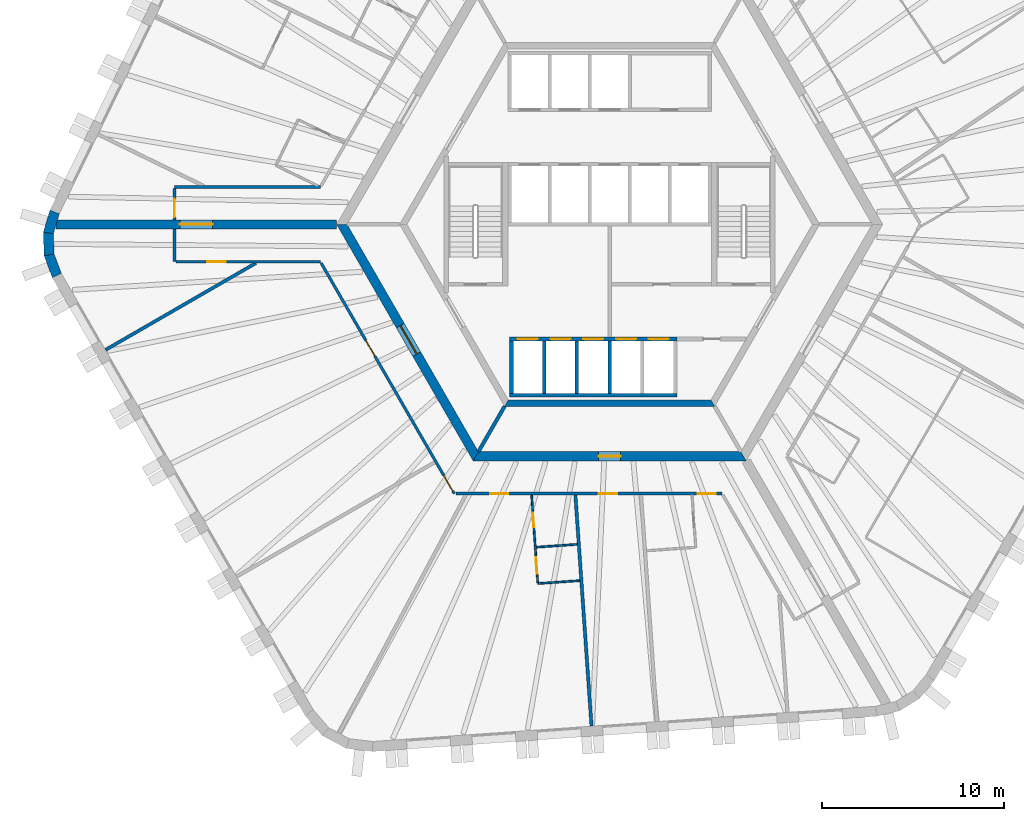
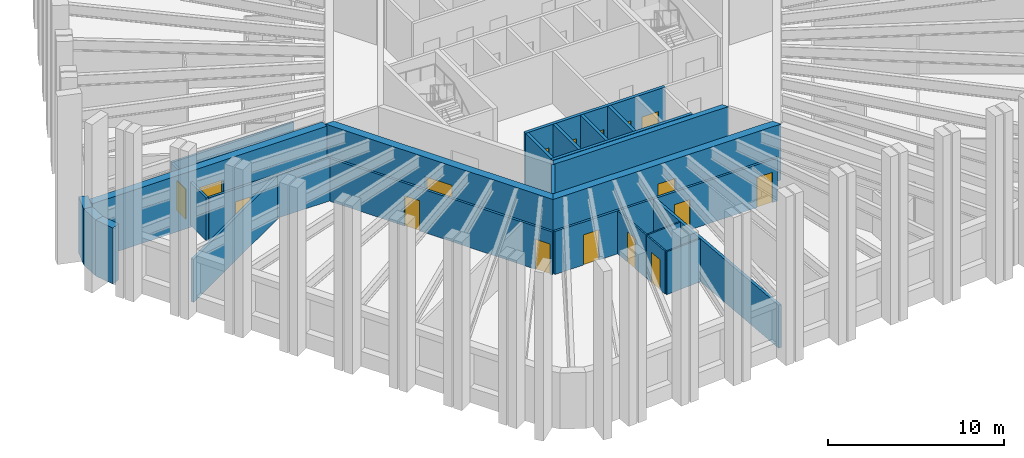
# One storey, part 3 of 9: 26 walls, 17 doors, 17 openings.
"""IFC4 building model written with IfcOpenShell, lengths in metres."""

from ifc_helpers import new_model, si_unit, direction, frame, frame_2d, origin, place, context, subcontext, project, spatial, polyline, rectangle, outline, extrude, material, layer, layer_set, type_object, element, fill, save


model = new_model("IFC4")

# Units and contexts
model_context = context("Model", 3, precision=1e-05, world=origin(), true_north=direction((0.0, 1.0)))
body_context = subcontext(model_context, "Body", "Model", "MODEL_VIEW")
ifc_project = project(units=[si_unit("LENGTHUNIT", "METRE"), si_unit("AREAUNIT", "SQUARE_METRE"), si_unit("VOLUMEUNIT", "CUBIC_METRE"), si_unit("PLANEANGLEUNIT", "RADIAN"), si_unit("MASSUNIT", "GRAM", prefix="KILO")], contexts=[model_context])

# Site, building, storey
site_placement = place(None, origin())
site = spatial("IfcSite", under=ifc_project, at=site_placement, CompositionType="ELEMENT")
building_placement = place(site_placement, origin())
building = spatial("IfcBuilding", under=site, at=building_placement, Name="Tarnside Tower", CompositionType="ELEMENT")
storey_placement = place(building_placement, frame((0.0, 0.0, 215.10009765625)))
storey = spatial("IfcBuildingStorey", under=building, at=storey_placement, Name="L51", CompositionType="ELEMENT", Elevation=215.10009765625)

# Wall, opening, door
ifc_material_1 = material(Name="Gypsum board partition on steel studs", Category="steel")
ifc_layer_1 = layer(ifc_material_1, 0.10009765625)
ifc_layer_set_1 = layer_set([ifc_layer_1], Name="Bathroom wall 100")
wall_type_1 = type_object("IfcWallType", Name="Bathroom wall 100", PredefinedType="PARTITIONING", material=ifc_layer_set_1)
wall_1_placement = place(storey_placement, frame((-4.089599609375, -17.751953125, 0.0), z_axis=(0.0, 0.0, 1.0), x_axis=(-0.06975499513, 0.997564153654, 0.0)))
wall_1 = element("IfcWall", 1, at=wall_1_placement, inside=storey, type_object=wall_type_1, Name="Bathroom wall 17069", PredefinedType="PARTITIONING", context=body_context, shape_type="SweptSolid", body=[
    extrude(rectangle(XDim=2.884033203125, YDim=0.10009765625, at=frame_2d((1.44189453125, 0.0))), origin(), (0.0, 0.0, 1.0), 2.98779296875),
])
opening_1_placement = place(wall_1_placement, frame((1.10009765625, 0.0, 0.0)))
opening_1 = element("IfcOpeningElement", 2, at=opening_1_placement, cuts=wall_1, Name="Opening D-B1", PredefinedType="OPENING", context=body_context, shape_type="SweptSolid", body=[
    extrude(rectangle(XDim=0.800048828125, YDim=2.10009765625, at=frame_2d((0.39990234375, 1.050048828125))), frame((0.0, 0.06005859375, 0.0), z_axis=(0.0, -1.0, 0.0), x_axis=(1.0, 0.0, 0.0)), (0.0, 0.0, 1.0), 0.1201171875),
])
ifc_material_2 = material(Name="Timber door leaf", Category="wood")
door_type_1 = type_object("IfcDoorType", Name="Bathroom door 800", OperationType="NOTDEFINED", PredefinedType="DOOR", material=ifc_material_2)
door_1_placement = place(opening_1_placement, origin())
door_1 = element("IfcDoor", 3, at=door_1_placement, inside=storey, type_object=door_type_1, Name="Bathroom door 17017", OperationType="SINGLE_SWING_LEFT", OverallHeight=2.10009765625, OverallWidth=0.800048828125, PredefinedType="DOOR", context=body_context, shape_type="SweptSolid", body=[
    extrude(rectangle(XDim=0.800048828125, YDim=2.10009765625, at=frame_2d((0.39990234375, 1.050048828125))), frame((0.0, 0.02490234375, 0.0), z_axis=(0.0, -1.0, 0.0), x_axis=(1.0, 0.0, 0.0)), (0.0, 0.0, 1.0), 0.050048828125),
])
fill(opening_1, door_1)

# Walls
wall_2_placement = place(storey_placement, frame((-4.039794921875, -17.74853515625, 0.0), z_axis=(0.0, 0.0, 1.0), x_axis=(0.997562351999, 0.069780755754, 0.0)))
element("IfcWall", 4, at=wall_2_placement, inside=storey, type_object=wall_type_1, Name="Bathroom wall 17073", PredefinedType="PARTITIONING", context=body_context, shape_type="SweptSolid", body=[
    extrude(rectangle(XDim=2.26025390625, YDim=0.10009765625, at=frame_2d((1.130126953125, 0.0))), origin(), (0.0, 0.0, 1.0), 2.98779296875),
])
ifc_material_3 = material(Name="Concrete C50/60", Category="concrete")
ifc_layer_2 = layer(ifc_material_3, 0.35009765625)
ifc_layer_set_2 = layer_set([ifc_layer_2], Name="Core block wall 350 C50/60")
wall_type_2 = type_object("IfcWallType", Name="Core block wall 350 C50/60", PredefinedType="SHEAR", material=ifc_layer_set_2)
wall_3_placement = place(storey_placement, frame((-5.672607421875, -9.824951171875, -0.150146484375), z_axis=(0.0, 0.0, 1.0), x_axis=(1.0, 0.0, 0.0)))
element("IfcWall", 5, at=wall_3_placement, inside=storey, type_object=wall_type_2, Name="L51 core block wall face 4", PredefinedType="SHEAR", context=body_context, shape_type="SweptSolid", body=[
    extrude(outline(polyline([(-0.10107421875, -0.175048828125), (11.4462890625, -0.175048828125), (11.244140625, 0.175048828125), (0.10107421875, 0.175048828125), (-0.10107421875, -0.175048828125)])), origin(), (0.0, 0.0, 1.0), 3.900146484375),
])

# Wall, opening, door
ifc_material_4 = material(Name="Concrete C70/85", Category="concrete")
ifc_layer_3 = layer(ifc_material_4, 0.5)
ifc_layer_set_3 = layer_set([ifc_layer_3], Name="Core wall Z2 500 C70/85")
wall_type_3 = type_object("IfcWallType", Name="Core wall Z2 500 C70/85", PredefinedType="SHEAR", material=ifc_layer_set_3)
wall_4_placement = place(storey_placement, frame((-14.722412109375, 0.0, -0.150146484375), z_axis=(0.0, 0.0, 1.0), x_axis=(0.50000571537, -0.866022103989, 0.0)))
wall_4 = element("IfcWall", 6, at=wall_4_placement, inside=storey, type_object=wall_type_3, Name="L51 core wall face 3", PredefinedType="SHEAR", context=body_context, shape_type="SweptSolid", body=[
    extrude(outline(polyline([(-0.144287109375, -0.25), (14.86669921875, -0.25), (14.578125, 0.25), (0.144287109375, 0.25), (-0.144287109375, -0.25)])), origin(), (0.0, 0.0, 1.0), 3.900146484375),
])
opening_2_placement = place(wall_4_placement, frame((6.432373046875, 0.0, 0.14990234375)))
opening_2 = element("IfcOpeningElement", 7, at=opening_2_placement, cuts=wall_4, Name="Opening CD-FFL", PredefinedType="OPENING", context=body_context, shape_type="SweptSolid", body=[
    extrude(rectangle(XDim=1.800048828125, YDim=2.39990234375, at=frame_2d((0.89990234375, 1.199951171875))), frame((0.0, 0.260009765625, 0.0), z_axis=(0.0, -1.0, 0.0), x_axis=(1.0, 0.0, 0.0)), (0.0, 0.0, 1.0), 0.52001953125),
])
ifc_material_5 = material(Name="Steel fire door", Category="steel")
door_type_2 = type_object("IfcDoorType", Name="Firefighting lobby double door FD60S 1800x2400", OperationType="NOTDEFINED", PredefinedType="DOOR", material=ifc_material_5)
door_2_placement = place(opening_2_placement, origin())
door_2 = element("IfcDoor", 8, at=door_2_placement, inside=storey, type_object=door_type_2, Name="L51 core door P3", OperationType="DOUBLE_DOOR_SINGLE_SWING", OverallHeight=2.39990234375, OverallWidth=1.800048828125, PredefinedType="DOOR", context=body_context, shape_type="SweptSolid", body=[
    extrude(rectangle(XDim=1.800048828125, YDim=2.39990234375, at=frame_2d((0.89990234375, 1.199951171875))), frame((0.0, 0.02490234375, 0.0), z_axis=(0.0, -1.0, 0.0), x_axis=(1.0, 0.0, 0.0)), (0.0, 0.0, 1.0), 0.050048828125),
])
fill(opening_2, door_2)

wall_5_placement = place(storey_placement, frame((-7.361083984375, -12.75, -0.150146484375), z_axis=(0.0, 0.0, 1.0), x_axis=(1.0, 0.0, 0.0)))
wall_5 = element("IfcWall", 9, at=wall_5_placement, inside=storey, type_object=wall_type_3, Name="L51 core wall face 4", PredefinedType="SHEAR", context=body_context, shape_type="SweptSolid", body=[
    extrude(outline(polyline([(-0.144287109375, -0.25), (14.866455078125, -0.25), (14.577880859375, 0.25), (0.144287109375, 0.25), (-0.144287109375, -0.25)])), origin(), (0.0, 0.0, 1.0), 3.900146484375),
])
opening_3_placement = place(wall_5_placement, frame((6.76123046875, 0.0, 0.14990234375)))
opening_3 = element("IfcOpeningElement", 10, at=opening_3_placement, cuts=wall_5, Name="Opening CD-RSR", PredefinedType="OPENING", context=body_context, shape_type="SweptSolid", body=[
    extrude(rectangle(XDim=1.199951171875, YDim=2.39990234375, at=frame_2d((0.60009765625, 1.199951171875))), frame((0.0, 0.260009765625, 0.0), z_axis=(0.0, -1.0, 0.0), x_axis=(1.0, 0.0, 0.0)), (0.0, 0.0, 1.0), 0.52001953125),
])
door_type_3 = type_object("IfcDoorType", Name="Riser door FD60 1200x2400", OperationType="NOTDEFINED", PredefinedType="DOOR", material=ifc_material_5)
door_3_placement = place(opening_3_placement, origin())
door_3 = element("IfcDoor", 11, at=door_3_placement, inside=storey, type_object=door_type_3, Name="L51 core door S6", OperationType="SINGLE_SWING_LEFT", OverallHeight=2.39990234375, OverallWidth=1.199951171875, PredefinedType="DOOR", context=body_context, shape_type="SweptSolid", body=[
    extrude(rectangle(XDim=1.199951171875, YDim=2.39990234375, at=frame_2d((0.60009765625, 1.199951171875))), frame((0.0, 0.02490234375, 0.0), z_axis=(0.0, -1.0, 0.0), x_axis=(1.0, 0.0, 0.0)), (0.0, 0.0, 1.0), 0.050048828125),
])
fill(opening_3, door_3)

wall_6_placement = place(storey_placement, frame((-15.010986328125, 0.0, -0.150146484375), z_axis=(0.0, 0.0, 1.0), x_axis=(-1.0, 0.0, 0.0)))
wall_6 = element("IfcWall", 12, at=wall_6_placement, inside=storey, type_object=wall_type_3, Name="L51 spine wall 2", PredefinedType="SHEAR", context=body_context, shape_type="SweptSolid", body=[
    extrude(rectangle(XDim=15.423828125, YDim=0.5, at=frame_2d((7.7119140625, 0.0))), origin(), (0.0, 0.0, 1.0), 3.900146484375),
])
opening_4_placement = place(wall_6_placement, frame((6.811767578125, 0.0, 0.14990234375)))
opening_4 = element("IfcOpeningElement", 13, at=opening_4_placement, cuts=wall_6, Name="Opening CD-SPN", PredefinedType="OPENING", context=body_context, shape_type="SweptSolid", body=[
    extrude(rectangle(XDim=1.800048828125, YDim=2.39990234375, at=frame_2d((0.89990234375, 1.199951171875))), frame((0.0, 0.260009765625, 0.0), z_axis=(0.0, -1.0, 0.0), x_axis=(1.0, 0.0, 0.0)), (0.0, 0.0, 1.0), 0.52001953125),
])
door_type_4 = type_object("IfcDoorType", Name="Spine passage double door FD60 1800x2400", OperationType="NOTDEFINED", PredefinedType="DOOR", material=ifc_material_5)
door_4_placement = place(opening_4_placement, origin())
door_4 = element("IfcDoor", 14, at=door_4_placement, inside=storey, type_object=door_type_4, Name="L51 spine passage door 2", OperationType="DOUBLE_DOOR_SINGLE_SWING", OverallHeight=2.39990234375, OverallWidth=1.800048828125, PredefinedType="DOOR", context=body_context, shape_type="SweptSolid", body=[
    extrude(rectangle(XDim=1.800048828125, YDim=2.39990234375, at=frame_2d((0.89990234375, 1.199951171875))), frame((0.0, 0.02490234375, 0.0), z_axis=(0.0, -1.0, 0.0), x_axis=(1.0, 0.0, 0.0)), (0.0, 0.0, 1.0), 0.050048828125),
])
fill(opening_4, door_4)

# Wall
ifc_layer_4 = layer(ifc_material_1, 0.14990234375)
ifc_layer_set_4 = layer_set([ifc_layer_4], Name="Corridor wall 150 EI 60")
wall_type_4 = type_object("IfcWallType", Name="Corridor wall 150 EI 60", PredefinedType="PARTITIONING", material=ifc_layer_set_4)
wall_7_placement = place(storey_placement, frame((-15.906005859375, 2.050048828125, 0.0), z_axis=(0.0, 0.0, 1.0), x_axis=(-1.0, 0.0, 0.0)))
element("IfcWall", 15, at=wall_7_placement, inside=storey, type_object=wall_type_4, Name="Corridor wall 17012", PredefinedType="PARTITIONING", context=body_context, shape_type="SweptSolid", body=[
    extrude(rectangle(XDim=8.016845703125, YDim=0.14990234375, at=frame_2d((4.00830078125, 0.0))), origin(), (0.0, 0.0, 1.0), 2.98779296875),
])

# Wall, opening, door
wall_8_placement = place(storey_placement, frame((-23.9228515625, 1.97509765625, 0.0), z_axis=(0.0, 0.0, 1.0), x_axis=(0.0, -1.0, 0.0)))
wall_8 = element("IfcWall", 16, at=wall_8_placement, inside=storey, type_object=wall_type_4, Name="Corridor wall 17016", PredefinedType="PARTITIONING", context=body_context, shape_type="SweptSolid", body=[
    extrude(rectangle(XDim=1.72509765625, YDim=0.14990234375, at=frame_2d((0.862548828125, 0.0))), origin(), (0.0, 0.0, 1.0), 2.98779296875),
])
opening_5_placement = place(wall_8_placement, frame((0.574951171875, 0.0, 0.0)))
opening_5 = element("IfcOpeningElement", 17, at=opening_5_placement, cuts=wall_8, Name="Opening D-E1", PredefinedType="OPENING", context=body_context, shape_type="SweptSolid", body=[
    extrude(rectangle(XDim=1.0, YDim=2.10009765625, at=frame_2d((0.5, 1.050048828125))), frame((0.0, 0.0849609375, 0.0), z_axis=(0.0, -1.0, 0.0), x_axis=(1.0, 0.0, 0.0)), (0.0, 0.0, 1.0), 0.169921875),
])
door_type_5 = type_object("IfcDoorType", Name="Unit entrance door 1000 FD30S", OperationType="NOTDEFINED", PredefinedType="DOOR", material=ifc_material_2)
door_5_placement = place(opening_5_placement, origin())
door_5 = element("IfcDoor", 18, at=door_5_placement, inside=storey, type_object=door_type_5, Name="Unit door 17012", OperationType="SINGLE_SWING_LEFT", OverallHeight=2.10009765625, OverallWidth=1.0, PredefinedType="DOOR", context=body_context, shape_type="SweptSolid", body=[
    extrude(rectangle(XDim=1.0, YDim=2.10009765625, at=frame_2d((0.5, 1.050048828125))), frame((0.0, 0.02490234375, 0.0), z_axis=(0.0, -1.0, 0.0), x_axis=(1.0, 0.0, 0.0)), (0.0, 0.0, 1.0), 0.050048828125),
])
fill(opening_5, door_5)

# Wall
wall_9_placement = place(storey_placement, frame((-23.9228515625, -0.25, 0.0), z_axis=(0.0, 0.0, 1.0), x_axis=(0.0, -1.0, 0.0)))
element("IfcWall", 19, at=wall_9_placement, inside=storey, type_object=wall_type_4, Name="Corridor wall 17017", PredefinedType="PARTITIONING", context=body_context, shape_type="SweptSolid", body=[
    extrude(rectangle(XDim=1.800048828125, YDim=0.14990234375, at=frame_2d((0.89990234375, 0.0))), origin(), (0.0, 0.0, 1.0), 2.98779296875),
])

# Wall, opening, door
wall_10_placement = place(storey_placement, frame((-23.847900390625, -2.050048828125, 0.0), z_axis=(0.0, 0.0, 1.0), x_axis=(1.0, 0.0, 0.0)))
wall_10 = element("IfcWall", 20, at=wall_10_placement, inside=storey, type_object=wall_type_4, Name="Corridor wall 17018", PredefinedType="PARTITIONING", context=body_context, shape_type="SweptSolid", body=[
    extrude(rectangle(XDim=7.94189453125, YDim=0.14990234375, at=frame_2d((3.970947265625, 0.0))), origin(), (0.0, 0.0, 1.0), 2.98779296875),
])
opening_6_placement = place(wall_10_placement, frame((1.72900390625, 0.0, 0.0)))
opening_6 = element("IfcOpeningElement", 21, at=opening_6_placement, cuts=wall_10, Name="Opening D-E1", PredefinedType="OPENING", context=body_context, shape_type="SweptSolid", body=[
    extrude(rectangle(XDim=1.0, YDim=2.10009765625, at=frame_2d((0.5, 1.050048828125))), frame((0.0, 0.0849609375, 0.0), z_axis=(0.0, -1.0, 0.0), x_axis=(1.0, 0.0, 0.0)), (0.0, 0.0, 1.0), 0.169921875),
])
door_6_placement = place(opening_6_placement, origin())
door_6 = element("IfcDoor", 22, at=door_6_placement, inside=storey, type_object=door_type_5, Name="Unit door 17013", OperationType="SINGLE_SWING_RIGHT", OverallHeight=2.10009765625, OverallWidth=1.0, PredefinedType="DOOR", context=body_context, shape_type="SweptSolid", body=[
    extrude(rectangle(XDim=1.0, YDim=2.10009765625, at=frame_2d((0.5, 1.050048828125))), frame((0.0, 0.02490234375, 0.0), z_axis=(0.0, -1.0, 0.0), x_axis=(1.0, 0.0, 0.0)), (0.0, 0.0, 1.0), 0.050048828125),
])
fill(opening_6, door_6)

# Wall, openings, doors
wall_11_placement = place(storey_placement, frame((-15.86279296875, -2.125, 0.0), z_axis=(0.0, 0.0, 1.0), x_axis=(0.500008833422, -0.866020303746, 0.0)))
wall_11 = element("IfcWall", 23, at=wall_11_placement, inside=storey, type_object=wall_type_4, Name="Corridor wall 17020", PredefinedType="PARTITIONING", context=body_context, shape_type="SweptSolid", body=[
    extrude(rectangle(XDim=14.635986328125, YDim=0.14990234375, at=frame_2d((7.31787109375, 0.0))), origin(), (0.0, 0.0, 1.0), 2.98779296875),
])
opening_7_placement = place(wall_11_placement, frame((4.908935546875, 0.0, 0.0)))
opening_7 = element("IfcOpeningElement", 24, at=opening_7_placement, cuts=wall_11, Name="Opening D-E1", PredefinedType="OPENING", context=body_context, shape_type="SweptSolid", body=[
    extrude(rectangle(XDim=1.0, YDim=2.10009765625, at=frame_2d((0.5, 1.050048828125))), frame((0.0, 0.0849609375, 0.0), z_axis=(0.0, -1.0, 0.0), x_axis=(1.0, 0.0, 0.0)), (0.0, 0.0, 1.0), 0.169921875),
])
opening_8_placement = place(wall_11_placement, frame((13.48583984375, 0.0, 0.0)))
opening_8 = element("IfcOpeningElement", 25, at=opening_8_placement, cuts=wall_11, Name="Opening D-E1", PredefinedType="OPENING", context=body_context, shape_type="SweptSolid", body=[
    extrude(rectangle(XDim=1.0, YDim=2.10009765625, at=frame_2d((0.5, 1.050048828125))), frame((0.0, 0.0849609375, 0.0), z_axis=(0.0, -1.0, 0.0), x_axis=(1.0, 0.0, 0.0)), (0.0, 0.0, 1.0), 0.169921875),
])
door_7_placement = place(opening_7_placement, origin())
door_7 = element("IfcDoor", 26, at=door_7_placement, inside=storey, type_object=door_type_5, Name="Unit door 17014", OperationType="SINGLE_SWING_RIGHT", OverallHeight=2.10009765625, OverallWidth=1.0, PredefinedType="DOOR", context=body_context, shape_type="SweptSolid", body=[
    extrude(rectangle(XDim=1.0, YDim=2.10009765625, at=frame_2d((0.5, 1.050048828125))), frame((0.0, 0.02490234375, 0.0), z_axis=(0.0, -1.0, 0.0), x_axis=(1.0, 0.0, 0.0)), (0.0, 0.0, 1.0), 0.050048828125),
])
fill(opening_7, door_7)
door_8_placement = place(opening_8_placement, origin())
door_8 = element("IfcDoor", 27, at=door_8_placement, inside=storey, type_object=door_type_5, Name="Unit door 17015", OperationType="SINGLE_SWING_LEFT", OverallHeight=2.10009765625, OverallWidth=1.0, PredefinedType="DOOR", context=body_context, shape_type="SweptSolid", body=[
    extrude(rectangle(XDim=1.0, YDim=2.10009765625, at=frame_2d((0.5, 1.050048828125))), frame((0.0, 0.02490234375, 0.0), z_axis=(0.0, -1.0, 0.0), x_axis=(1.0, 0.0, 0.0)), (0.0, 0.0, 1.0), 0.050048828125),
])
fill(opening_8, door_8)

wall_12_placement = place(storey_placement, frame((-8.458251953125, -14.800048828125, 0.0), z_axis=(0.0, 0.0, 1.0), x_axis=(1.0, 0.0, 0.0)))
wall_12 = element("IfcWall", 28, at=wall_12_placement, inside=storey, type_object=wall_type_4, Name="Corridor wall 17022", PredefinedType="PARTITIONING", context=body_context, shape_type="SweptSolid", body=[
    extrude(rectangle(XDim=14.635986328125, YDim=0.14990234375, at=frame_2d((7.31787109375, 0.0))), origin(), (0.0, 0.0, 1.0), 2.98779296875),
])
opening_9_placement = place(wall_12_placement, frame((1.88134765625, 0.0, 0.0)))
opening_9 = element("IfcOpeningElement", 29, at=opening_9_placement, cuts=wall_12, Name="Opening D-E1", PredefinedType="OPENING", context=body_context, shape_type="SweptSolid", body=[
    extrude(rectangle(XDim=1.0, YDim=2.10009765625, at=frame_2d((0.5, 1.050048828125))), frame((0.0, 0.0849609375, 0.0), z_axis=(0.0, -1.0, 0.0), x_axis=(1.0, 0.0, 0.0)), (0.0, 0.0, 1.0), 0.169921875),
])
opening_10_placement = place(wall_12_placement, frame((7.872314453125, 0.0, 0.0)))
opening_10 = element("IfcOpeningElement", 30, at=opening_10_placement, cuts=wall_12, Name="Opening D-E1", PredefinedType="OPENING", context=body_context, shape_type="SweptSolid", body=[
    extrude(rectangle(XDim=1.0, YDim=2.10009765625, at=frame_2d((0.5, 1.050048828125))), frame((0.0, 0.0849609375, 0.0), z_axis=(0.0, -1.0, 0.0), x_axis=(1.0, 0.0, 0.0)), (0.0, 0.0, 1.0), 0.169921875),
])
opening_11_placement = place(wall_12_placement, frame((13.302978515625, 0.0, 0.0)))
opening_11 = element("IfcOpeningElement", 31, at=opening_11_placement, cuts=wall_12, Name="Opening D-E1", PredefinedType="OPENING", context=body_context, shape_type="SweptSolid", body=[
    extrude(rectangle(XDim=1.0, YDim=2.10009765625, at=frame_2d((0.5, 1.050048828125))), frame((0.0, 0.0849609375, 0.0), z_axis=(0.0, -1.0, 0.0), x_axis=(1.0, 0.0, 0.0)), (0.0, 0.0, 1.0), 0.169921875),
])
door_9_placement = place(opening_9_placement, origin())
door_9 = element("IfcDoor", 32, at=door_9_placement, inside=storey, type_object=door_type_5, Name="Unit door 17016", OperationType="SINGLE_SWING_LEFT", OverallHeight=2.10009765625, OverallWidth=1.0, PredefinedType="DOOR", context=body_context, shape_type="SweptSolid", body=[
    extrude(rectangle(XDim=1.0, YDim=2.10009765625, at=frame_2d((0.5, 1.050048828125))), frame((0.0, 0.02490234375, 0.0), z_axis=(0.0, -1.0, 0.0), x_axis=(1.0, 0.0, 0.0)), (0.0, 0.0, 1.0), 0.050048828125),
])
fill(opening_9, door_9)
door_10_placement = place(opening_10_placement, origin())
door_10 = element("IfcDoor", 33, at=door_10_placement, inside=storey, type_object=door_type_5, Name="Unit door 17019", OperationType="SINGLE_SWING_RIGHT", OverallHeight=2.10009765625, OverallWidth=1.0, PredefinedType="DOOR", context=body_context, shape_type="SweptSolid", body=[
    extrude(rectangle(XDim=1.0, YDim=2.10009765625, at=frame_2d((0.5, 1.050048828125))), frame((0.0, 0.02490234375, 0.0), z_axis=(0.0, -1.0, 0.0), x_axis=(1.0, 0.0, 0.0)), (0.0, 0.0, 1.0), 0.050048828125),
])
fill(opening_10, door_10)
door_11_placement = place(opening_11_placement, origin())
door_11 = element("IfcDoor", 34, at=door_11_placement, inside=storey, type_object=door_type_5, Name="Unit door 17020", OperationType="SINGLE_SWING_RIGHT", OverallHeight=2.10009765625, OverallWidth=1.0, PredefinedType="DOOR", context=body_context, shape_type="SweptSolid", body=[
    extrude(rectangle(XDim=1.0, YDim=2.10009765625, at=frame_2d((0.5, 1.050048828125))), frame((0.0, 0.02490234375, 0.0), z_axis=(0.0, -1.0, 0.0), x_axis=(1.0, 0.0, 0.0)), (0.0, 0.0, 1.0), 0.050048828125),
])
fill(opening_11, door_11)

# Walls
ifc_layer_5 = layer(ifc_material_1, 0.179931640625)
ifc_layer_set_5 = layer_set([ifc_layer_5], Name="Demising wall 180 EI 60")
wall_type_5 = type_object("IfcWallType", Name="Demising wall 180 EI 60", PredefinedType="PARTITIONING", material=ifc_layer_set_5)
wall_13_placement = place(storey_placement, frame((-27.71337890625, -6.89892578125, 0.0), z_axis=(0.0, 0.0, 1.0), x_axis=(0.866022070066, 0.500005774125, 0.0)))
element("IfcWall", 35, at=wall_13_placement, inside=storey, type_object=wall_type_5, Name="Demising wall 17066", PredefinedType="PARTITIONING", context=body_context, shape_type="SweptSolid", body=[
    extrude(rectangle(XDim=9.5478515625, YDim=0.179931640625, at=frame_2d((4.77392578125, 0.0))), origin(), (0.0, 0.0, 1.0), 2.98779296875),
])
wall_14_placement = place(storey_placement, frame((-0.99609375, -27.586669921875, 0.0), z_axis=(0.0, 0.0, 1.0), x_axis=(-0.069758774678, 0.99756388936, 0.0)))
element("IfcWall", 36, at=wall_14_placement, inside=storey, type_object=wall_type_5, Name="Demising wall 17072", PredefinedType="PARTITIONING", context=body_context, shape_type="SweptSolid", body=[
    extrude(rectangle(XDim=12.74267578125, YDim=0.179931640625, at=frame_2d((6.371337890625, 0.0))), origin(), (0.0, 0.0, 1.0), 2.98779296875),
])

# Wall, openings, doors
ifc_material_6 = material(Name="Concrete C40/50", Category="concrete")
ifc_layer_6 = layer(ifc_material_6, 0.199951171875)
ifc_layer_set_6 = layer_set([ifc_layer_6], Name="Lift shaft wall 200 C40/50")
wall_type_6 = type_object("IfcWallType", Name="Lift shaft wall 200 C40/50", PredefinedType="SHEAR", material=ifc_layer_set_6)
wall_15_placement = place(storey_placement, frame((-5.5, -6.300048828125, -0.25), z_axis=(0.0, 0.0, 1.0), x_axis=(1.0, 0.0, 0.0)))
wall_15 = element("IfcWall", 37, at=wall_15_placement, inside=storey, type_object=wall_type_6, Name="L51 lift shaft front wall R4", PredefinedType="SHEAR", context=body_context, shape_type="SweptSolid", body=[
    extrude(rectangle(XDim=9.199951171875, YDim=0.199951171875, at=frame_2d((4.60009765625, 0.0))), origin(), (0.0, 0.0, 1.0), 3.89990234375),
])
opening_12_placement = place(wall_15_placement, frame((0.449951171875, 0.0, 0.25)))
opening_12 = element("IfcOpeningElement", 38, at=opening_12_placement, cuts=wall_15, Name="Opening LDF", PredefinedType="OPENING", context=body_context, shape_type="SweptSolid", body=[
    extrude(rectangle(XDim=1.10009765625, YDim=2.10009765625, at=frame_2d((0.550048828125, 1.050048828125))), frame((0.0, 0.10986328125, 0.0), z_axis=(0.0, -1.0, 0.0), x_axis=(1.0, 0.0, 0.0)), (0.0, 0.0, 1.0), 0.219970703125),
])
opening_13_placement = place(wall_15_placement, frame((2.25, 0.0, 0.25)))
opening_13 = element("IfcOpeningElement", 39, at=opening_13_placement, cuts=wall_15, Name="Opening LDF", PredefinedType="OPENING", context=body_context, shape_type="SweptSolid", body=[
    extrude(rectangle(XDim=1.10009765625, YDim=2.10009765625, at=frame_2d((0.550048828125, 1.050048828125))), frame((0.0, 0.10986328125, 0.0), z_axis=(0.0, -1.0, 0.0), x_axis=(1.0, 0.0, 0.0)), (0.0, 0.0, 1.0), 0.219970703125),
])
opening_14_placement = place(wall_15_placement, frame((4.050048828125, 0.0, 0.25)))
opening_14 = element("IfcOpeningElement", 40, at=opening_14_placement, cuts=wall_15, Name="Opening LDF", PredefinedType="OPENING", context=body_context, shape_type="SweptSolid", body=[
    extrude(rectangle(XDim=1.10009765625, YDim=2.10009765625, at=frame_2d((0.550048828125, 1.050048828125))), frame((0.0, 0.10986328125, 0.0), z_axis=(0.0, -1.0, 0.0), x_axis=(1.0, 0.0, 0.0)), (0.0, 0.0, 1.0), 0.219970703125),
])
opening_15_placement = place(wall_15_placement, frame((5.85009765625, 0.0, 0.25)))
opening_15 = element("IfcOpeningElement", 41, at=opening_15_placement, cuts=wall_15, Name="Opening LDF", PredefinedType="OPENING", context=body_context, shape_type="SweptSolid", body=[
    extrude(rectangle(XDim=1.10009765625, YDim=2.10009765625, at=frame_2d((0.550048828125, 1.050048828125))), frame((0.0, 0.10986328125, 0.0), z_axis=(0.0, -1.0, 0.0), x_axis=(1.0, 0.0, 0.0)), (0.0, 0.0, 1.0), 0.219970703125),
])
opening_16_placement = place(wall_15_placement, frame((7.64990234375, 0.0, 0.25)))
opening_16 = element("IfcOpeningElement", 42, at=opening_16_placement, cuts=wall_15, Name="Opening LDF", PredefinedType="OPENING", context=body_context, shape_type="SweptSolid", body=[
    extrude(rectangle(XDim=1.10009765625, YDim=2.10009765625, at=frame_2d((0.550048828125, 1.050048828125))), frame((0.0, 0.10986328125, 0.0), z_axis=(0.0, -1.0, 0.0), x_axis=(1.0, 0.0, 0.0)), (0.0, 0.0, 1.0), 0.219970703125),
])
ifc_material_7 = material(Name="Stainless steel", Category="steel")
door_type_6 = type_object("IfcDoorType", Name="Lift landing door 1100x2100 EI 120", OperationType="NOTDEFINED", PredefinedType="DOOR", material=ifc_material_7)
door_12_placement = place(opening_12_placement, origin())
door_12 = element("IfcDoor", 43, at=door_12_placement, inside=storey, type_object=door_type_6, Name="Firefighting lift 1 landing door L51", OperationType="SLIDING_TO_LEFT", OverallHeight=2.10009765625, OverallWidth=1.10009765625, PredefinedType="DOOR", context=body_context, shape_type="SweptSolid", body=[
    extrude(rectangle(XDim=1.10009765625, YDim=2.10009765625, at=frame_2d((0.550048828125, 1.050048828125))), frame((0.0, 0.02490234375, 0.0), z_axis=(0.0, -1.0, 0.0), x_axis=(1.0, 0.0, 0.0)), (0.0, 0.0, 1.0), 0.050048828125),
])
fill(opening_12, door_12)
door_13_placement = place(opening_13_placement, origin())
door_13 = element("IfcDoor", 44, at=door_13_placement, inside=storey, type_object=door_type_6, Name="Firefighting lift 2 landing door L51", OperationType="SLIDING_TO_LEFT", OverallHeight=2.10009765625, OverallWidth=1.10009765625, PredefinedType="DOOR", context=body_context, shape_type="SweptSolid", body=[
    extrude(rectangle(XDim=1.10009765625, YDim=2.10009765625, at=frame_2d((0.550048828125, 1.050048828125))), frame((0.0, 0.02490234375, 0.0), z_axis=(0.0, -1.0, 0.0), x_axis=(1.0, 0.0, 0.0)), (0.0, 0.0, 1.0), 0.050048828125),
])
fill(opening_13, door_13)
door_14_placement = place(opening_14_placement, origin())
door_14 = element("IfcDoor", 45, at=door_14_placement, inside=storey, type_object=door_type_6, Name="Firefighting lift 3 landing door L51", OperationType="SLIDING_TO_LEFT", OverallHeight=2.10009765625, OverallWidth=1.10009765625, PredefinedType="DOOR", context=body_context, shape_type="SweptSolid", body=[
    extrude(rectangle(XDim=1.10009765625, YDim=2.10009765625, at=frame_2d((0.550048828125, 1.050048828125))), frame((0.0, 0.02490234375, 0.0), z_axis=(0.0, -1.0, 0.0), x_axis=(1.0, 0.0, 0.0)), (0.0, 0.0, 1.0), 0.050048828125),
])
fill(opening_14, door_14)
door_15_placement = place(opening_15_placement, origin())
door_15 = element("IfcDoor", 46, at=door_15_placement, inside=storey, type_object=door_type_6, Name="Firefighting lift 4 landing door L51", OperationType="SLIDING_TO_LEFT", OverallHeight=2.10009765625, OverallWidth=1.10009765625, PredefinedType="DOOR", context=body_context, shape_type="SweptSolid", body=[
    extrude(rectangle(XDim=1.10009765625, YDim=2.10009765625, at=frame_2d((0.550048828125, 1.050048828125))), frame((0.0, 0.02490234375, 0.0), z_axis=(0.0, -1.0, 0.0), x_axis=(1.0, 0.0, 0.0)), (0.0, 0.0, 1.0), 0.050048828125),
])
fill(opening_15, door_15)
door_16_placement = place(opening_16_placement, origin())
door_16 = element("IfcDoor", 47, at=door_16_placement, inside=storey, type_object=door_type_6, Name="Firefighting lift 5 landing door L51", OperationType="SLIDING_TO_LEFT", OverallHeight=2.10009765625, OverallWidth=1.10009765625, PredefinedType="DOOR", context=body_context, shape_type="SweptSolid", body=[
    extrude(rectangle(XDim=1.10009765625, YDim=2.10009765625, at=frame_2d((0.550048828125, 1.050048828125))), frame((0.0, 0.02490234375, 0.0), z_axis=(0.0, -1.0, 0.0), x_axis=(1.0, 0.0, 0.0)), (0.0, 0.0, 1.0), 0.050048828125),
])
fill(opening_16, door_16)

# Walls
wall_16_placement = place(storey_placement, frame((-5.5, -9.39990234375, -0.25), z_axis=(0.0, 0.0, 1.0), x_axis=(1.0, 0.0, 0.0)))
element("IfcWall", 48, at=wall_16_placement, inside=storey, type_object=wall_type_6, Name="L51 lift shaft back wall R4", PredefinedType="SHEAR", context=body_context, shape_type="SweptSolid", body=[
    extrude(rectangle(XDim=9.199951171875, YDim=0.199951171875, at=frame_2d((4.60009765625, 0.0))), origin(), (0.0, 0.0, 1.0), 3.89990234375),
])
for number, where, z_axis, x_axis, name in (
    (49, (-5.39990234375, -9.300048828125, -0.25), (0.0, 0.0, 1.0), (0.0, 1.0, 0.0), "L51 lift shaft partition R41"),
    (50, (-3.60009765625, -9.300048828125, -0.25), (0.0, 0.0, 1.0), (0.0, 1.0, 0.0), "L51 lift shaft partition R42"),
    (51, (-1.800048828125, -9.300048828125, -0.25), (0.0, 0.0, 1.0), (0.0, 1.0, 0.0), "L51 lift shaft partition R43"),
    (52, (0.0, -9.300048828125, -0.25), (0.0, 0.0, 1.0), (0.0, 1.0, 0.0), "L51 lift shaft partition R44"),
):
    element("IfcWall", number, at=place(storey_placement, frame(where, z_axis=z_axis, x_axis=x_axis)), inside=storey, type_object=wall_type_6, Name=name, PredefinedType="SHEAR", context=body_context, shape_type="SweptSolid", body=[
        extrude(rectangle(XDim=2.900146484375, YDim=0.199951171875, at=frame_2d((1.4501953125, 0.0))), origin(), (0.0, 0.0, 1.0), 3.89990234375),
    ])
wall_17_placement = place(storey_placement, frame((-5.7734375, -10.0, -0.150146484375), z_axis=(0.0, 0.0, 1.0), x_axis=(-0.499995765644, -0.866027848477, 0.0)))
element("IfcWall", 53, at=wall_17_placement, inside=storey, type_object=wall_type_6, Name="L51 core partition AR240", PredefinedType="SHEAR", context=body_context, shape_type="SweptSolid", body=[
    extrude(rectangle(XDim=2.88671875, YDim=0.199951171875, at=frame_2d((1.443359375, 0.0))), origin(), (0.0, 0.0, 1.0), 3.900146484375),
])
ifc_layer_7 = layer(ifc_material_1, 0.10009765625)
ifc_layer_set_7 = layer_set([ifc_layer_7], Name="Partition 100")
wall_type_7 = type_object("IfcWallType", Name="Partition 100", PredefinedType="PARTITIONING", material=ifc_layer_set_7)
wall_18_placement = place(storey_placement, frame((-1.645751953125, -19.586181640625, 0.0), z_axis=(0.0, 0.0, 1.0), x_axis=(-0.997564338377, -0.069752353356, 0.0)))
element("IfcWall", 54, at=wall_18_placement, inside=storey, type_object=wall_type_7, Name="Partition wall 17070", PredefinedType="PARTITIONING", context=body_context, shape_type="SweptSolid", body=[
    extrude(rectangle(XDim=2.31005859375, YDim=0.10009765625, at=frame_2d((1.155029296875, 0.0))), origin(), (0.0, 0.0, 1.0), 2.98779296875),
])

# Wall, opening, door
wall_19_placement = place(storey_placement, frame((-3.95361328125, -19.697265625, 0.0), z_axis=(0.0, 0.0, 1.0), x_axis=(-0.069776698601, 0.997562635794, 0.0)))
wall_19 = element("IfcWall", 55, at=wall_19_placement, inside=storey, type_object=wall_type_7, Name="Partition wall 17071", PredefinedType="PARTITIONING", context=body_context, shape_type="SweptSolid", body=[
    extrude(rectangle(XDim=1.89990234375, YDim=0.10009765625, at=frame_2d((0.949951171875, 0.0))), origin(), (0.0, 0.0, 1.0), 2.98779296875),
])
opening_17_placement = place(wall_19_placement, frame((0.5, 0.0, 0.0)))
opening_17 = element("IfcOpeningElement", 56, at=opening_17_placement, cuts=wall_19, Name="Opening D-I1", PredefinedType="OPENING", context=body_context, shape_type="SweptSolid", body=[
    extrude(rectangle(XDim=0.89990234375, YDim=2.10009765625, at=frame_2d((0.449951171875, 1.050048828125))), frame((0.0, 0.06005859375, 0.0), z_axis=(0.0, -1.0, 0.0), x_axis=(1.0, 0.0, 0.0)), (0.0, 0.0, 1.0), 0.1201171875),
])
door_type_7 = type_object("IfcDoorType", Name="Internal door 900", OperationType="NOTDEFINED", PredefinedType="DOOR", material=ifc_material_2)
door_17_placement = place(opening_17_placement, origin())
door_17 = element("IfcDoor", 57, at=door_17_placement, inside=storey, type_object=door_type_7, Name="Internal door 17018", OperationType="SINGLE_SWING_RIGHT", OverallHeight=2.10009765625, OverallWidth=0.89990234375, PredefinedType="DOOR", context=body_context, shape_type="SweptSolid", body=[
    extrude(rectangle(XDim=0.89990234375, YDim=2.10009765625, at=frame_2d((0.449951171875, 1.050048828125))), frame((0.0, 0.02490234375, 0.0), z_axis=(0.0, -1.0, 0.0), x_axis=(1.0, 0.0, 0.0)), (0.0, 0.0, 1.0), 0.050048828125),
])
fill(opening_17, door_17)

# Walls
ifc_material_8 = material(Name="Facing brick", Category="masonry")
ifc_layer_8 = layer(ifc_material_8, 0.10205078125)
ifc_material_9 = material(Name="Concrete C60/75 precast", Category="concrete")
ifc_layer_9 = layer(ifc_material_9, 0.347900390625)
ifc_material_10 = material(Name="Mineral wool insulation")
ifc_layer_10 = layer(ifc_material_10, 0.10009765625)
ifc_layer_set_8 = layer_set([ifc_layer_8, ifc_layer_9, ifc_layer_10], Name="Tube wall 550 brick faced")
wall_type_8 = type_object("IfcWallType", Name="Tube wall 550 brick faced", PredefinedType="SOLIDWALL", material=ifc_layer_set_8)
wall_20_placement = place(storey_placement, frame((-30.51318359375, 0.684326171875, -0.150146484375), z_axis=(0.0, 0.0, 1.0), x_axis=(-0.286736058109, -0.958009620505, 0.0)))
element("IfcWall", 58, at=wall_20_placement, inside=storey, type_object=wall_type_8, Name="Tube wall L51 F2 chord 05", PredefinedType="SOLIDWALL", context=body_context, shape_type="SweptSolid", body=[
    extrude(outline(polyline([(-0.0224609375, -0.27490234375), (1.25341796875, -0.27490234375), (1.1630859375, 0.27490234375), (0.0224609375, 0.27490234375), (-0.0224609375, -0.27490234375)])), origin(), (0.0, 0.0, 1.0), 3.900146484375),
])
wall_21_placement = place(storey_placement, frame((-30.859619140625, -0.47314453125, -0.150146484375), z_axis=(0.0, 0.0, 1.0), x_axis=(0.03495638276, -0.999388838893, 0.0)))
element("IfcWall", 59, at=wall_21_placement, inside=storey, type_object=wall_type_8, Name="Tube wall L51 F2 chord 06", PredefinedType="SOLIDWALL", context=body_context, shape_type="SweptSolid", body=[
    extrude(outline(polyline([(-0.045166015625, -0.27490234375), (1.25341796875, -0.27490234375), (1.1630859375, 0.27490234375), (0.045166015625, 0.27490234375), (-0.045166015625, -0.27490234375)])), origin(), (0.0, 0.0, 1.0), 3.900146484375),
])
wall_22_placement = place(storey_placement, frame((-30.8173828125, -1.6806640625, -0.150146484375), z_axis=(0.0, 0.0, 1.0), x_axis=(0.352850303963, -0.935679786569, 0.0)))
element("IfcWall", 60, at=wall_22_placement, inside=storey, type_object=wall_type_8, Name="Tube wall L51 F2 chord 07", PredefinedType="SOLIDWALL", context=body_context, shape_type="SweptSolid", body=[
    extrude(outline(polyline([(-0.045166015625, -0.27490234375), (1.23046875, -0.27490234375), (1.185546875, 0.27490234375), (0.045166015625, 0.27490234375), (-0.045166015625, -0.27490234375)])), origin(), (0.0, 0.0, 1.0), 3.900146484375),
])

save(model, "model.ifc")
